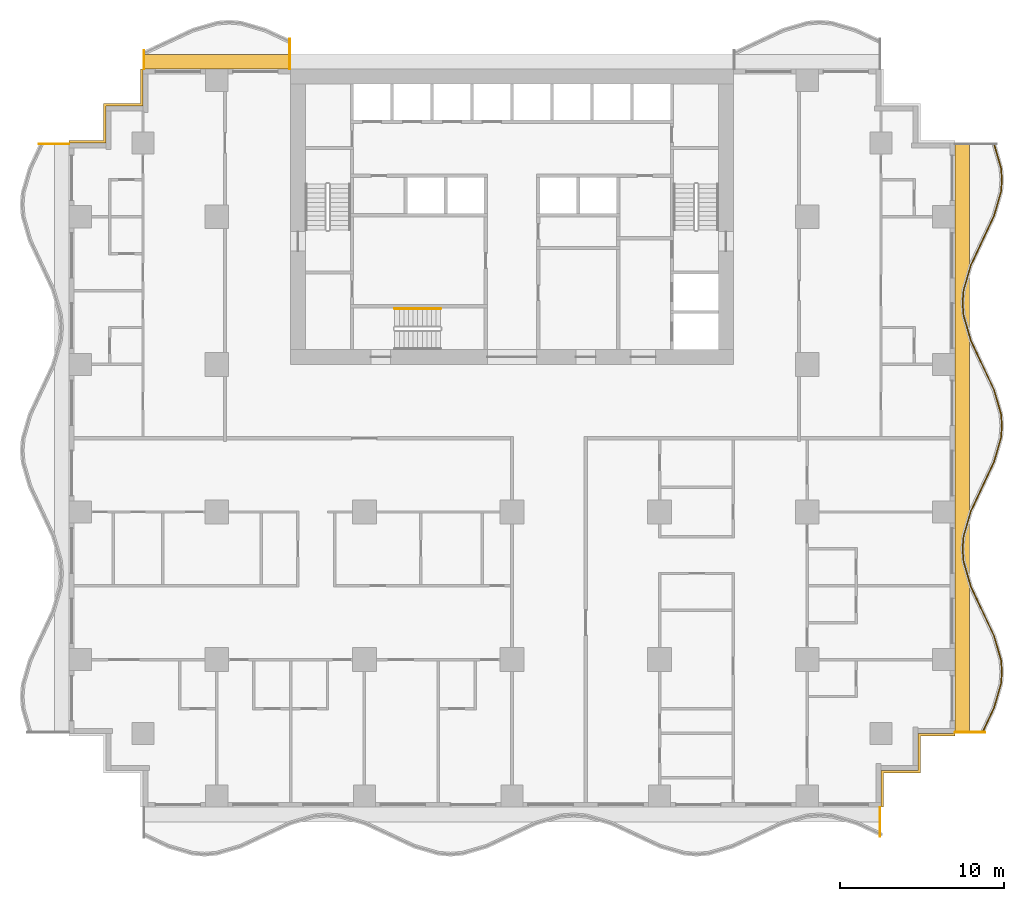
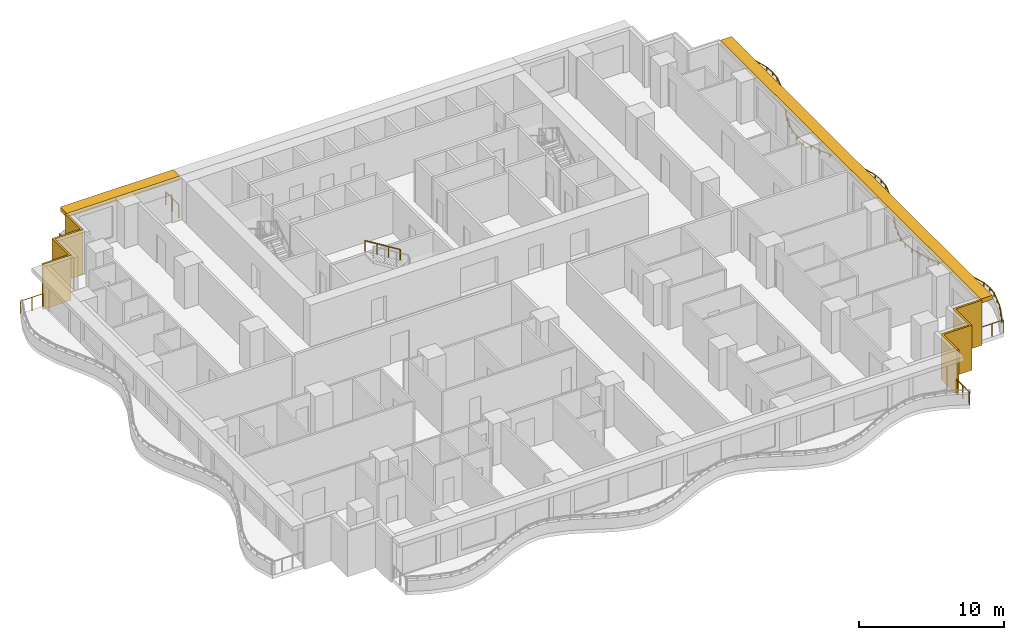
# One storey, part 10 of 13: 7 railings, 4 shading devices.
"""IFC4 building model written with IfcOpenShell, lengths in metres."""

from ifc_helpers import new_model, si_unit, direction, frame, origin, origin_2d, place, context, subcontext, project, spatial, polyline, rectangle, circle, outline, extrude, material, layer, layer_set, type_object, element, save


model = new_model("IFC4")

# Units and contexts
model_context = context("Model", 3, precision=1e-05, world=origin(), true_north=direction((0.0, 1.0)))
body_context = subcontext(model_context, "Body", "Model", "MODEL_VIEW")
ifc_project = project(units=[si_unit("LENGTHUNIT", "METRE"), si_unit("AREAUNIT", "SQUARE_METRE"), si_unit("VOLUMEUNIT", "CUBIC_METRE"), si_unit("PLANEANGLEUNIT", "RADIAN"), si_unit("MASSUNIT", "GRAM", prefix="KILO")], contexts=[model_context])

# Site, building, storey
site_placement = place(None, origin())
site = spatial("IfcSite", under=ifc_project, at=site_placement, CompositionType="ELEMENT")
building_placement = place(site_placement, origin())
building = spatial("IfcBuilding", under=site, at=building_placement, Name="Orbiselva Terraces", CompositionType="ELEMENT")
storey_placement = place(building_placement, frame((0.0, 0.0, 77.0)))
storey = spatial("IfcBuildingStorey", under=building, at=storey_placement, Name="L19", CompositionType="ELEMENT", Elevation=77.0)

# Railings
ifc_material_1 = material(Name="Stainless steel", Category="steel")
railing_type_1 = type_object("IfcRailingType", Name="CORE-HANDRAIL-900", PredefinedType="HANDRAIL", material=ifc_material_1)
railing_1_placement = place(storey_placement, frame((-4.35, 7.9, 2.072727)))
element("IfcRailing", 1, at=railing_1_placement, inside=storey, type_object=railing_type_1, Name="L19 S3 stair handrail 2", PredefinedType="HANDRAIL", context=body_context, shape_type="SweptSolid", body=[
    extrude(circle(Radius=0.024, at=origin_2d()), frame((0.0, 0.0, 0.876), z_axis=(-0.851088519012, 0.0, 0.52502222125), x_axis=(0.0, -1.0, 0.0)), (0.0, 0.0, 1.0), 3.289905),
    extrude(circle(Radius=0.021, at=origin_2d()), origin(), (0.0, 0.0, 1.0), 0.852),
    extrude(circle(Radius=0.021, at=origin_2d()), frame((-0.933333, 0.0, 0.575758)), (0.0, 0.0, 1.0), 0.852),
    extrude(circle(Radius=0.021, at=origin_2d()), frame((-1.866667, 0.0, 1.151515)), (0.0, 0.0, 1.0), 0.852),
    extrude(circle(Radius=0.021, at=origin_2d()), frame((-2.8, 0.0, 1.727273)), (0.0, 0.0, 1.0), 0.852),
])
ifc_material_2 = material(Name="Bonded two-ply safety glass balustrade, stainless steel posts", Category="steel")
railing_type_2 = type_object("IfcRailingType", Name="ENV-BALUSTRADE-1200", PredefinedType="BALUSTRADE", material=ifc_material_2)
railing_2_placement = place(storey_placement, frame((28.686882, -17.946809, 0.9)))
element("IfcRailing", 2, at=railing_2_placement, inside=storey, type_object=railing_type_2, Name="Balcony balustrade L19 E", PredefinedType="BALUSTRADE", context=body_context, shape_type="SweptSolid", body=[
    extrude(outline(polyline([(0.028868, 0.0), (0.014434, 0.025), (-0.014434, 0.025), (-0.028868, 0.0), (-0.014434, -0.025), (0.014434, -0.025), (0.028868, 0.0)])), frame((0.0, 0.0, 0.275), z_axis=(0.425529912322, 0.904944359461, 0.0), x_axis=(-0.904944359461, 0.425529912322, 0.0)), (0.0, 0.0, 1.0), 1.647746),
    extrude(outline(polyline([(0.028868, 0.0), (0.014434, 0.025), (-0.014434, 0.025), (-0.028868, 0.0), (-0.014434, -0.025), (0.014434, -0.025), (0.028868, 0.0)])), frame((0.701165, 1.491118, 0.275), z_axis=(0.279071528957, 0.960270317007, 0.0), x_axis=(-0.960270317007, 0.279071528957, 0.0)), (0.0, 0.0, 1.0), 1.539408),
    extrude(outline(polyline([(0.028868, 0.0), (0.014434, 0.025), (-0.014434, 0.025), (-0.028868, 0.0), (-0.014434, -0.025), (0.014434, -0.025), (0.028868, 0.0)])), frame((1.13077, 2.969366, 0.275), z_axis=(0.078069536776, 0.996947916106, 0.0), x_axis=(-0.996947916106, 0.078069536776, 0.0)), (0.0, 0.0, 1.0), 0.72967),
    extrude(outline(polyline([(0.028868, 0.0), (0.014434, 0.025), (-0.014434, 0.025), (-0.028868, 0.0), (-0.014434, -0.025), (0.014434, -0.025), (0.028868, 0.0)])), frame((1.187735, 3.696809, 0.275), z_axis=(-0.078069536776, 0.996947916106, 0.0), x_axis=(-0.996947916106, -0.078069536776, 0.0)), (0.0, 0.0, 1.0), 0.72967),
    extrude(outline(polyline([(0.028868, 0.0), (0.014434, 0.025), (-0.014434, 0.025), (-0.028868, 0.0), (-0.014434, -0.025), (0.014434, -0.025), (0.028868, 0.0)])), frame((1.13077, 4.424252, 0.275), z_axis=(-0.279071528957, 0.960270317007, 0.0), x_axis=(-0.960270317007, -0.279071528957, 0.0)), (0.0, 0.0, 1.0), 1.539408),
    extrude(outline(polyline([(0.028868, 0.0), (0.014434, 0.025), (-0.014434, 0.025), (-0.028868, 0.0), (-0.014434, -0.025), (0.014434, -0.025), (0.028868, 0.0)])), frame((0.701165, 5.9025, 0.275), z_axis=(-0.425529912322, 0.904944359461, 0.0), x_axis=(-0.904944359461, -0.425529912322, 0.0)), (0.0, 0.0, 1.0), 1.647746),
    extrude(outline(polyline([(0.028868, 0.0), (0.014434, 0.025), (-0.014434, 0.025), (-0.028868, 0.0), (-0.014434, -0.025), (0.014434, -0.025), (0.028868, 0.0)])), frame((0.0, 7.393618, 0.275), z_axis=(-0.425530342069, 0.904944157382, 0.0), x_axis=(-0.904944157382, -0.425530342069, 0.0)), (0.0, 0.0, 1.0), 1.667376),
    extrude(outline(polyline([(0.028868, 0.0), (0.014434, 0.025), (-0.014434, 0.025), (-0.028868, 0.0), (-0.014434, -0.025), (0.014434, -0.025), (0.028868, 0.0)])), frame((-0.709519, 8.9025, 0.275), z_axis=(-0.279070928786, 0.960270491427, 0.0), x_axis=(-0.960270491427, -0.279070928786, 0.0)), (0.0, 0.0, 1.0), 1.584712),
    extrude(outline(polyline([(0.028868, 0.0), (0.014434, 0.025), (-0.014434, 0.025), (-0.028868, 0.0), (-0.014434, -0.025), (0.014434, -0.025), (0.028868, 0.0)])), frame((-1.151766, 10.424252, 0.275), z_axis=(-0.078071061106, 0.996947796737, 0.0), x_axis=(-0.996947796737, -0.078071061106, 0.0)), (0.0, 0.0, 1.0), 0.774922),
    extrude(outline(polyline([(0.028868, 0.0), (0.014434, 0.025), (-0.014434, 0.025), (-0.028868, 0.0), (-0.014434, -0.025), (0.014434, -0.025), (0.028868, 0.0)])), frame((-1.212265, 11.196809, 0.275), z_axis=(0.078071061106, 0.996947796737, 0.0), x_axis=(-0.996947796737, 0.078071061106, 0.0)), (0.0, 0.0, 1.0), 0.774922),
    extrude(outline(polyline([(0.028868, 0.0), (0.014434, 0.025), (-0.014434, 0.025), (-0.028868, 0.0), (-0.014434, -0.025), (0.014434, -0.025), (0.028868, 0.0)])), frame((-1.151766, 11.969366, 0.275), z_axis=(0.279070928786, 0.960270491427, 0.0), x_axis=(-0.960270491427, 0.279070928786, 0.0)), (0.0, 0.0, 1.0), 1.584712),
    extrude(outline(polyline([(0.028868, 0.0), (0.014434, 0.025), (-0.014434, 0.025), (-0.028868, 0.0), (-0.014434, -0.025), (0.014434, -0.025), (0.028868, 0.0)])), frame((-0.709519, 13.491118, 0.275), z_axis=(0.425530342069, 0.904944157382, 0.0), x_axis=(-0.904944157382, 0.425530342069, 0.0)), (0.0, 0.0, 1.0), 1.667376),
    extrude(outline(polyline([(0.028868, 0.0), (0.014434, 0.025), (-0.014434, 0.025), (-0.028868, 0.0), (-0.014434, -0.025), (0.014434, -0.025), (0.028868, 0.0)])), frame((0.0, 15.0, 0.275), z_axis=(0.425529912322, 0.904944359461, 0.0), x_axis=(-0.904944359461, 0.425529912322, 0.0)), (0.0, 0.0, 1.0), 1.647746),
    extrude(outline(polyline([(0.028868, 0.0), (0.014434, 0.025), (-0.014434, 0.025), (-0.028868, 0.0), (-0.014434, -0.025), (0.014434, -0.025), (0.028868, 0.0)])), frame((0.701165, 16.491118, 0.275), z_axis=(0.279071528957, 0.960270317007, 0.0), x_axis=(-0.960270317007, 0.279071528957, 0.0)), (0.0, 0.0, 1.0), 1.539408),
    extrude(outline(polyline([(0.028868, 0.0), (0.014434, 0.025), (-0.014434, 0.025), (-0.028868, 0.0), (-0.014434, -0.025), (0.014434, -0.025), (0.028868, 0.0)])), frame((1.13077, 17.969366, 0.275), z_axis=(0.078069536776, 0.996947916106, 0.0), x_axis=(-0.996947916106, 0.078069536776, 0.0)), (0.0, 0.0, 1.0), 0.72967),
    extrude(outline(polyline([(0.028868, 0.0), (0.014434, 0.025), (-0.014434, 0.025), (-0.028868, 0.0), (-0.014434, -0.025), (0.014434, -0.025), (0.028868, 0.0)])), frame((1.187735, 18.696809, 0.275), z_axis=(-0.078069536776, 0.996947916106, 0.0), x_axis=(-0.996947916106, -0.078069536776, 0.0)), (0.0, 0.0, 1.0), 0.72967),
    extrude(outline(polyline([(0.028868, 0.0), (0.014434, 0.025), (-0.014434, 0.025), (-0.028868, 0.0), (-0.014434, -0.025), (0.014434, -0.025), (0.028868, 0.0)])), frame((1.13077, 19.424252, 0.275), z_axis=(-0.279071528957, 0.960270317007, 0.0), x_axis=(-0.960270317007, -0.279071528957, 0.0)), (0.0, 0.0, 1.0), 1.539408),
    extrude(outline(polyline([(0.028868, 0.0), (0.014434, 0.025), (-0.014434, 0.025), (-0.028868, 0.0), (-0.014434, -0.025), (0.014434, -0.025), (0.028868, 0.0)])), frame((0.701165, 20.9025, 0.275), z_axis=(-0.425529912322, 0.904944359461, 0.0), x_axis=(-0.904944359461, -0.425529912322, 0.0)), (0.0, 0.0, 1.0), 1.647746),
    extrude(outline(polyline([(0.028868, 0.0), (0.014434, 0.025), (-0.014434, 0.025), (-0.028868, 0.0), (-0.014434, -0.025), (0.014434, -0.025), (0.028868, 0.0)])), frame((0.0, 22.393618, 0.275), z_axis=(-0.425530342069, 0.904944157382, 0.0), x_axis=(-0.904944157382, -0.425530342069, 0.0)), (0.0, 0.0, 1.0), 1.667376),
    extrude(outline(polyline([(0.028868, 0.0), (0.014434, 0.025), (-0.014434, 0.025), (-0.028868, 0.0), (-0.014434, -0.025), (0.014434, -0.025), (0.028868, 0.0)])), frame((-0.709519, 23.9025, 0.275), z_axis=(-0.279070928786, 0.960270491427, 0.0), x_axis=(-0.960270491427, -0.279070928786, 0.0)), (0.0, 0.0, 1.0), 1.584712),
    extrude(outline(polyline([(0.028868, 0.0), (0.014434, 0.025), (-0.014434, 0.025), (-0.028868, 0.0), (-0.014434, -0.025), (0.014434, -0.025), (0.028868, 0.0)])), frame((-1.151766, 25.424252, 0.275), z_axis=(-0.078071061106, 0.996947796737, 0.0), x_axis=(-0.996947796737, -0.078071061106, 0.0)), (0.0, 0.0, 1.0), 0.774922),
    extrude(outline(polyline([(0.028868, 0.0), (0.014434, 0.025), (-0.014434, 0.025), (-0.028868, 0.0), (-0.014434, -0.025), (0.014434, -0.025), (0.028868, 0.0)])), frame((-1.212265, 26.196809, 0.275), z_axis=(0.078071061106, 0.996947796737, 0.0), x_axis=(-0.996947796737, 0.078071061106, 0.0)), (0.0, 0.0, 1.0), 0.774922),
    extrude(outline(polyline([(0.028868, 0.0), (0.014434, 0.025), (-0.014434, 0.025), (-0.028868, 0.0), (-0.014434, -0.025), (0.014434, -0.025), (0.028868, 0.0)])), frame((-1.151766, 26.969366, 0.275), z_axis=(0.279070928786, 0.960270491427, 0.0), x_axis=(-0.960270491427, 0.279070928786, 0.0)), (0.0, 0.0, 1.0), 1.584712),
    extrude(outline(polyline([(0.028868, 0.0), (0.014434, 0.025), (-0.014434, 0.025), (-0.028868, 0.0), (-0.014434, -0.025), (0.014434, -0.025), (0.028868, 0.0)])), frame((-0.709519, 28.491118, 0.275), z_axis=(0.425530342069, 0.904944157382, 0.0), x_axis=(-0.904944157382, 0.425530342069, 0.0)), (0.0, 0.0, 1.0), 1.667376),
    extrude(outline(polyline([(0.028868, 0.0), (0.014434, 0.025), (-0.014434, 0.025), (-0.028868, 0.0), (-0.014434, -0.025), (0.014434, -0.025), (0.028868, 0.0)])), frame((0.0, 30.0, 0.275), z_axis=(0.425529912322, 0.904944359461, 0.0), x_axis=(-0.904944359461, 0.425529912322, 0.0)), (0.0, 0.0, 1.0), 1.647746),
    extrude(outline(polyline([(0.028868, 0.0), (0.014434, 0.025), (-0.014434, 0.025), (-0.028868, 0.0), (-0.014434, -0.025), (0.014434, -0.025), (0.028868, 0.0)])), frame((0.701165, 31.491118, 0.275), z_axis=(0.279071528957, 0.960270317007, 0.0), x_axis=(-0.960270317007, 0.279071528957, 0.0)), (0.0, 0.0, 1.0), 1.539408),
    extrude(outline(polyline([(0.028868, 0.0), (0.014434, 0.025), (-0.014434, 0.025), (-0.028868, 0.0), (-0.014434, -0.025), (0.014434, -0.025), (0.028868, 0.0)])), frame((1.13077, 32.969366, 0.275), z_axis=(0.078069536776, 0.996947916106, 0.0), x_axis=(-0.996947916106, 0.078069536776, 0.0)), (0.0, 0.0, 1.0), 0.72967),
    extrude(outline(polyline([(0.028868, 0.0), (0.014434, 0.025), (-0.014434, 0.025), (-0.028868, 0.0), (-0.014434, -0.025), (0.014434, -0.025), (0.028868, 0.0)])), frame((1.187735, 33.696809, 0.275), z_axis=(-0.078069536776, 0.996947916106, 0.0), x_axis=(-0.996947916106, -0.078069536776, 0.0)), (0.0, 0.0, 1.0), 0.72967),
    extrude(outline(polyline([(0.028868, 0.0), (0.014434, 0.025), (-0.014434, 0.025), (-0.028868, 0.0), (-0.014434, -0.025), (0.014434, -0.025), (0.028868, 0.0)])), frame((1.13077, 34.424252, 0.275), z_axis=(-0.279071486336, 0.960270329394, 0.0), x_axis=(-0.960270329394, -0.279071486336, 0.0)), (0.0, 0.0, 1.0), 1.549223),
    extrude(rectangle(XDim=0.05, YDim=0.05, at=origin_2d()), origin(), (0.0, 0.0, 1.0), 0.25),
    extrude(rectangle(XDim=0.05, YDim=0.05, at=origin_2d()), frame((0.350582, 0.745559, 0.0)), (0.0, 0.0, 1.0), 0.25),
    extrude(rectangle(XDim=0.05, YDim=0.05, at=origin_2d()), frame((0.701165, 1.491118, 0.0)), (0.0, 0.0, 1.0), 0.25),
    extrude(rectangle(XDim=0.05, YDim=0.05, at=origin_2d()), frame((0.915967, 2.230242, 0.0)), (0.0, 0.0, 1.0), 0.25),
    extrude(rectangle(XDim=0.05, YDim=0.05, at=origin_2d()), frame((1.13077, 2.969366, 0.0)), (0.0, 0.0, 1.0), 0.25),
    extrude(rectangle(XDim=0.05, YDim=0.05, at=origin_2d()), frame((1.187735, 3.696809, 0.0)), (0.0, 0.0, 1.0), 0.25),
    extrude(rectangle(XDim=0.05, YDim=0.05, at=origin_2d()), frame((1.13077, 4.424252, 0.0)), (0.0, 0.0, 1.0), 0.25),
    extrude(rectangle(XDim=0.05, YDim=0.05, at=origin_2d()), frame((0.915967, 5.163376, 0.0)), (0.0, 0.0, 1.0), 0.25),
    extrude(rectangle(XDim=0.05, YDim=0.05, at=origin_2d()), frame((0.701165, 5.9025, 0.0)), (0.0, 0.0, 1.0), 0.25),
    extrude(rectangle(XDim=0.05, YDim=0.05, at=origin_2d()), frame((0.350582, 6.648059, 0.0)), (0.0, 0.0, 1.0), 0.25),
    extrude(rectangle(XDim=0.05, YDim=0.05, at=origin_2d()), frame((0.0, 7.393618, 0.0)), (0.0, 0.0, 1.0), 0.25),
    extrude(rectangle(XDim=0.05, YDim=0.05, at=origin_2d()), frame((-0.35476, 8.148059, 0.0)), (0.0, 0.0, 1.0), 0.25),
    extrude(rectangle(XDim=0.05, YDim=0.05, at=origin_2d()), frame((-0.709519, 8.9025, 0.0)), (0.0, 0.0, 1.0), 0.25),
    extrude(rectangle(XDim=0.05, YDim=0.05, at=origin_2d()), frame((-0.930643, 9.663376, 0.0)), (0.0, 0.0, 1.0), 0.25),
    extrude(rectangle(XDim=0.05, YDim=0.05, at=origin_2d()), frame((-1.151766, 10.424252, 0.0)), (0.0, 0.0, 1.0), 0.25),
    extrude(rectangle(XDim=0.05, YDim=0.05, at=origin_2d()), frame((-1.212265, 11.196809, 0.0)), (0.0, 0.0, 1.0), 0.25),
    extrude(rectangle(XDim=0.05, YDim=0.05, at=origin_2d()), frame((-1.151766, 11.969366, 0.0)), (0.0, 0.0, 1.0), 0.25),
    extrude(rectangle(XDim=0.05, YDim=0.05, at=origin_2d()), frame((-0.930643, 12.730242, 0.0)), (0.0, 0.0, 1.0), 0.25),
    extrude(rectangle(XDim=0.05, YDim=0.05, at=origin_2d()), frame((-0.709519, 13.491118, 0.0)), (0.0, 0.0, 1.0), 0.25),
    extrude(rectangle(XDim=0.05, YDim=0.05, at=origin_2d()), frame((-0.35476, 14.245559, 0.0)), (0.0, 0.0, 1.0), 0.25),
    extrude(rectangle(XDim=0.05, YDim=0.05, at=origin_2d()), frame((0.0, 15.0, 0.0)), (0.0, 0.0, 1.0), 0.25),
    extrude(rectangle(XDim=0.05, YDim=0.05, at=origin_2d()), frame((0.350582, 15.745559, 0.0)), (0.0, 0.0, 1.0), 0.25),
    extrude(rectangle(XDim=0.05, YDim=0.05, at=origin_2d()), frame((0.701165, 16.491118, 0.0)), (0.0, 0.0, 1.0), 0.25),
    extrude(rectangle(XDim=0.05, YDim=0.05, at=origin_2d()), frame((0.915967, 17.230242, 0.0)), (0.0, 0.0, 1.0), 0.25),
    extrude(rectangle(XDim=0.05, YDim=0.05, at=origin_2d()), frame((1.13077, 17.969366, 0.0)), (0.0, 0.0, 1.0), 0.25),
    extrude(rectangle(XDim=0.05, YDim=0.05, at=origin_2d()), frame((1.187735, 18.696809, 0.0)), (0.0, 0.0, 1.0), 0.25),
    extrude(rectangle(XDim=0.05, YDim=0.05, at=origin_2d()), frame((1.13077, 19.424252, 0.0)), (0.0, 0.0, 1.0), 0.25),
    extrude(rectangle(XDim=0.05, YDim=0.05, at=origin_2d()), frame((0.915967, 20.163376, 0.0)), (0.0, 0.0, 1.0), 0.25),
    extrude(rectangle(XDim=0.05, YDim=0.05, at=origin_2d()), frame((0.701165, 20.9025, 0.0)), (0.0, 0.0, 1.0), 0.25),
    extrude(rectangle(XDim=0.05, YDim=0.05, at=origin_2d()), frame((0.350582, 21.648059, 0.0)), (0.0, 0.0, 1.0), 0.25),
    extrude(rectangle(XDim=0.05, YDim=0.05, at=origin_2d()), frame((0.0, 22.393618, 0.0)), (0.0, 0.0, 1.0), 0.25),
    extrude(rectangle(XDim=0.05, YDim=0.05, at=origin_2d()), frame((-0.35476, 23.148059, 0.0)), (0.0, 0.0, 1.0), 0.25),
    extrude(rectangle(XDim=0.05, YDim=0.05, at=origin_2d()), frame((-0.709519, 23.9025, 0.0)), (0.0, 0.0, 1.0), 0.25),
    extrude(rectangle(XDim=0.05, YDim=0.05, at=origin_2d()), frame((-0.930643, 24.663376, 0.0)), (0.0, 0.0, 1.0), 0.25),
    extrude(rectangle(XDim=0.05, YDim=0.05, at=origin_2d()), frame((-1.151766, 25.424252, 0.0)), (0.0, 0.0, 1.0), 0.25),
    extrude(rectangle(XDim=0.05, YDim=0.05, at=origin_2d()), frame((-1.212265, 26.196809, 0.0)), (0.0, 0.0, 1.0), 0.25),
    extrude(rectangle(XDim=0.05, YDim=0.05, at=origin_2d()), frame((-1.151766, 26.969366, 0.0)), (0.0, 0.0, 1.0), 0.25),
    extrude(rectangle(XDim=0.05, YDim=0.05, at=origin_2d()), frame((-0.930643, 27.730242, 0.0)), (0.0, 0.0, 1.0), 0.25),
    extrude(rectangle(XDim=0.05, YDim=0.05, at=origin_2d()), frame((-0.709519, 28.491118, 0.0)), (0.0, 0.0, 1.0), 0.25),
    extrude(rectangle(XDim=0.05, YDim=0.05, at=origin_2d()), frame((-0.35476, 29.245559, 0.0)), (0.0, 0.0, 1.0), 0.25),
    extrude(rectangle(XDim=0.05, YDim=0.05, at=origin_2d()), frame((0.0, 30.0, 0.0)), (0.0, 0.0, 1.0), 0.25),
    extrude(rectangle(XDim=0.05, YDim=0.05, at=origin_2d()), frame((0.350582, 30.745559, 0.0)), (0.0, 0.0, 1.0), 0.25),
    extrude(rectangle(XDim=0.05, YDim=0.05, at=origin_2d()), frame((0.701165, 31.491118, 0.0)), (0.0, 0.0, 1.0), 0.25),
    extrude(rectangle(XDim=0.05, YDim=0.05, at=origin_2d()), frame((0.915967, 32.230242, 0.0)), (0.0, 0.0, 1.0), 0.25),
    extrude(rectangle(XDim=0.05, YDim=0.05, at=origin_2d()), frame((1.13077, 32.969366, 0.0)), (0.0, 0.0, 1.0), 0.25),
    extrude(rectangle(XDim=0.05, YDim=0.05, at=origin_2d()), frame((1.187735, 33.696809, 0.0)), (0.0, 0.0, 1.0), 0.25),
    extrude(rectangle(XDim=0.05, YDim=0.05, at=origin_2d()), frame((1.13077, 34.424252, 0.0)), (0.0, 0.0, 1.0), 0.25),
    extrude(rectangle(XDim=0.05, YDim=0.05, at=origin_2d()), frame((0.914598, 35.168088, 0.0)), (0.0, 0.0, 1.0), 0.25),
    extrude(rectangle(XDim=0.05, YDim=0.05, at=origin_2d()), frame((0.698426, 35.911925, 0.0)), (0.0, 0.0, 1.0), 0.25),
])
ifc_material_3 = material(Name="Stainless steel rail and posts", Category="steel")
railing_type_3 = type_object("IfcRailingType", Name="ENV-GUARD-1105", PredefinedType="BALUSTRADE", material=ifc_material_3)
railing_3_placement = place(storey_placement, frame((22.44, -24.269844, 0.0)))
element("IfcRailing", 3, at=railing_3_placement, inside=storey, type_object=railing_type_3, Name="Balcony end guard L19 S", PredefinedType="BALUSTRADE", context=body_context, shape_type="SweptSolid", body=[
    extrude(outline(polyline([(0.028868, 0.0), (0.014434, 0.025), (-0.014434, 0.025), (-0.028868, 0.0), (-0.014434, -0.025), (0.014434, -0.025), (0.028868, 0.0)])), frame((0.0, 0.0, 1.08), z_axis=(0.0, 1.0, 0.0), x_axis=(-1.0, 0.0, 0.0)), (0.0, 0.0, 1.0), 1.744844),
    extrude(rectangle(XDim=0.05, YDim=0.05, at=origin_2d()), origin(), (0.0, 0.0, 1.0), 1.055),
    extrude(rectangle(XDim=0.05, YDim=0.05, at=origin_2d()), frame((0.0, 0.872422, 0.0)), (0.0, 0.0, 1.0), 1.055),
    extrude(rectangle(XDim=0.05, YDim=0.05, at=origin_2d()), frame((0.0, 1.744844, 0.0)), (0.0, 0.0, 1.0), 1.055),
])
railing_4_placement = place(storey_placement, frame((28.830156, -17.94, 0.0)))
element("IfcRailing", 4, at=railing_4_placement, inside=storey, type_object=railing_type_3, Name="Balcony end guard L19 E", PredefinedType="BALUSTRADE", context=body_context, shape_type="SweptSolid", body=[
    extrude(outline(polyline([(0.028868, 0.0), (0.014434, 0.025), (-0.014434, 0.025), (-0.028868, 0.0), (-0.014434, -0.025), (0.014434, -0.025), (0.028868, 0.0)])), frame((0.0, 0.0, 1.08), z_axis=(-1.0, 0.0, 0.0), x_axis=(0.0, -1.0, 0.0)), (0.0, 0.0, 1.0), 1.805156),
    extrude(rectangle(XDim=0.05, YDim=0.05, at=origin_2d()), origin(), (0.0, 0.0, 1.0), 1.055),
    extrude(rectangle(XDim=0.05, YDim=0.05, at=origin_2d()), frame((-0.902578, 0.0, 0.0)), (0.0, 0.0, 1.0), 1.055),
    extrude(rectangle(XDim=0.05, YDim=0.05, at=origin_2d()), frame((-1.805156, 0.0, 0.0)), (0.0, 0.0, 1.0), 1.055),
])
railing_5_placement = place(storey_placement, frame((-13.56, 24.330156, 0.0)))
element("IfcRailing", 5, at=railing_5_placement, inside=storey, type_object=railing_type_3, Name="Balcony end guard L19 NW", PredefinedType="BALUSTRADE", context=body_context, shape_type="SweptSolid", body=[
    extrude(outline(polyline([(0.028868, 0.0), (0.014434, 0.025), (-0.014434, 0.025), (-0.028868, 0.0), (-0.014434, -0.025), (0.014434, -0.025), (0.028868, 0.0)])), frame((0.0, 0.0, 1.08), z_axis=(0.0, -1.0, 0.0), x_axis=(1.0, 0.0, 0.0)), (0.0, 0.0, 1.0), 1.805156),
    extrude(rectangle(XDim=0.05, YDim=0.05, at=origin_2d()), origin(), (0.0, 0.0, 1.0), 1.055),
    extrude(rectangle(XDim=0.05, YDim=0.05, at=origin_2d()), frame((0.0, -0.902578, 0.0)), (0.0, 0.0, 1.0), 1.055),
    extrude(rectangle(XDim=0.05, YDim=0.05, at=origin_2d()), frame((0.0, -1.805156, 0.0)), (0.0, 0.0, 1.0), 1.055),
])
railing_6_placement = place(storey_placement, frame((-22.44, 23.619277, 0.0)))
element("IfcRailing", 6, at=railing_6_placement, inside=storey, type_object=railing_type_3, Name="Balcony end guard L19 NW", PredefinedType="BALUSTRADE", context=body_context, shape_type="SweptSolid", body=[
    extrude(outline(polyline([(0.028868, 0.0), (0.014434, 0.025), (-0.014434, 0.025), (-0.028868, 0.0), (-0.014434, -0.025), (0.014434, -0.025), (0.028868, 0.0)])), frame((0.0, 0.0, 1.08), z_axis=(0.0, -1.0, 0.0), x_axis=(1.0, 0.0, 0.0)), (0.0, 0.0, 1.0), 1.094277),
    extrude(rectangle(XDim=0.05, YDim=0.05, at=origin_2d()), origin(), (0.0, 0.0, 1.0), 1.055),
    extrude(rectangle(XDim=0.05, YDim=0.05, at=origin_2d()), frame((0.0, -1.094277, 0.0)), (0.0, 0.0, 1.0), 1.055),
])
railing_7_placement = place(storey_placement, frame((-28.830156, 17.94, 0.0)))
element("IfcRailing", 7, at=railing_7_placement, inside=storey, type_object=railing_type_3, Name="Balcony end guard L19 W", PredefinedType="BALUSTRADE", context=body_context, shape_type="SweptSolid", body=[
    extrude(outline(polyline([(0.028868, 0.0), (0.014434, 0.025), (-0.014434, 0.025), (-0.028868, 0.0), (-0.014434, -0.025), (0.014434, -0.025), (0.028868, 0.0)])), frame((0.0, 0.0, 1.08), z_axis=(1.0, 0.0, 0.0), x_axis=(0.0, 1.0, 0.0)), (0.0, 0.0, 1.0), 1.805156),
    extrude(rectangle(XDim=0.05, YDim=0.05, at=origin_2d()), origin(), (0.0, 0.0, 1.0), 1.055),
    extrude(rectangle(XDim=0.05, YDim=0.05, at=origin_2d()), frame((0.902578, 0.0, 0.0)), (0.0, 0.0, 1.0), 1.055),
    extrude(rectangle(XDim=0.05, YDim=0.05, at=origin_2d()), frame((1.805156, 0.0, 0.0)), (0.0, 0.0, 1.0), 1.055),
])

# Shading devices
ifc_material_4 = material(Name="Terracotta louvre screen", Category="masonry")
ifc_layer_1 = layer(ifc_material_4, 0.15)
ifc_layer_set_1 = layer_set([ifc_layer_1], Name="Terracotta louvre screen")
shading_device_type_1 = type_object("IfcShadingDeviceType", Name="ENV-SCREEN-150", PredefinedType="USERDEFINED", material=ifc_layer_set_1)
shading_device_1_placement = place(storey_placement, frame((0.0, 0.0, -0.3)))
element("IfcShadingDevice", 8, at=shading_device_1_placement, inside=storey, type_object=shading_device_type_1, Name="Louvre screen L19 NW", ObjectType="SCREEN", PredefinedType="USERDEFINED", context=body_context, shape_type="SweptSolid", body=[
    extrude(outline(polyline([(-22.65, 22.5), (-22.65, 20.4), (-24.9, 20.4), (-24.9, 18.15), (-27.0, 18.15), (-27.0, 18.0), (-24.75, 18.0), (-24.75, 20.25), (-22.5, 20.25), (-22.5, 22.5), (-22.65, 22.5)])), origin(), (0.0, 0.0, 1.0), 3.8),
])
shading_device_2_placement = place(storey_placement, frame((0.0, 0.0, -0.3)))
element("IfcShadingDevice", 9, at=shading_device_2_placement, inside=storey, type_object=shading_device_type_1, Name="Louvre screen L19 SE", ObjectType="SCREEN", PredefinedType="USERDEFINED", context=body_context, shape_type="SweptSolid", body=[
    extrude(outline(polyline([(22.65, -22.5), (22.65, -20.4), (24.9, -20.4), (24.9, -18.15), (27.0, -18.15), (27.0, -18.0), (24.75, -18.0), (24.75, -20.25), (22.5, -20.25), (22.5, -22.5), (22.65, -22.5)])), origin(), (0.0, 0.0, 1.0), 3.8),
])
ifc_material_5 = material(Name="Terracotta baguette sunshade", Category="masonry")
ifc_layer_2 = layer(ifc_material_5, 0.35)
ifc_layer_set_2 = layer_set([ifc_layer_2], Name="Terracotta baguette sunshade")
shading_device_type_2 = type_object("IfcShadingDeviceType", Name="ENV-SUNSHADE-900x350", PredefinedType="USERDEFINED", material=ifc_layer_set_2)
shading_device_3_placement = place(storey_placement, frame((0.0, 0.0, 3.15)))
element("IfcShadingDevice", 10, at=shading_device_3_placement, inside=storey, type_object=shading_device_type_2, Name="Sunshade band L19 E", ObjectType="SUNSHADE", PredefinedType="USERDEFINED", context=body_context, shape_type="SweptSolid", body=[
    extrude(outline(polyline([(27.9, -18.0), (27.9, 18.0), (27.0, 18.0), (27.0, -18.0), (27.9, -18.0)])), origin(), (0.0, 0.0, 1.0), 0.35),
])
shading_device_4_placement = place(storey_placement, frame((0.0, 0.0, 3.15)))
element("IfcShadingDevice", 11, at=shading_device_4_placement, inside=storey, type_object=shading_device_type_2, Name="Sunshade band L19 NW", ObjectType="SUNSHADE", PredefinedType="USERDEFINED", context=body_context, shape_type="SweptSolid", body=[
    extrude(outline(polyline([(-13.5, 23.4), (-22.5, 23.4), (-22.5, 22.5), (-13.5, 22.5), (-13.5, 23.4)])), origin(), (0.0, 0.0, 1.0), 0.35),
])

save(model, "model.ifc")
